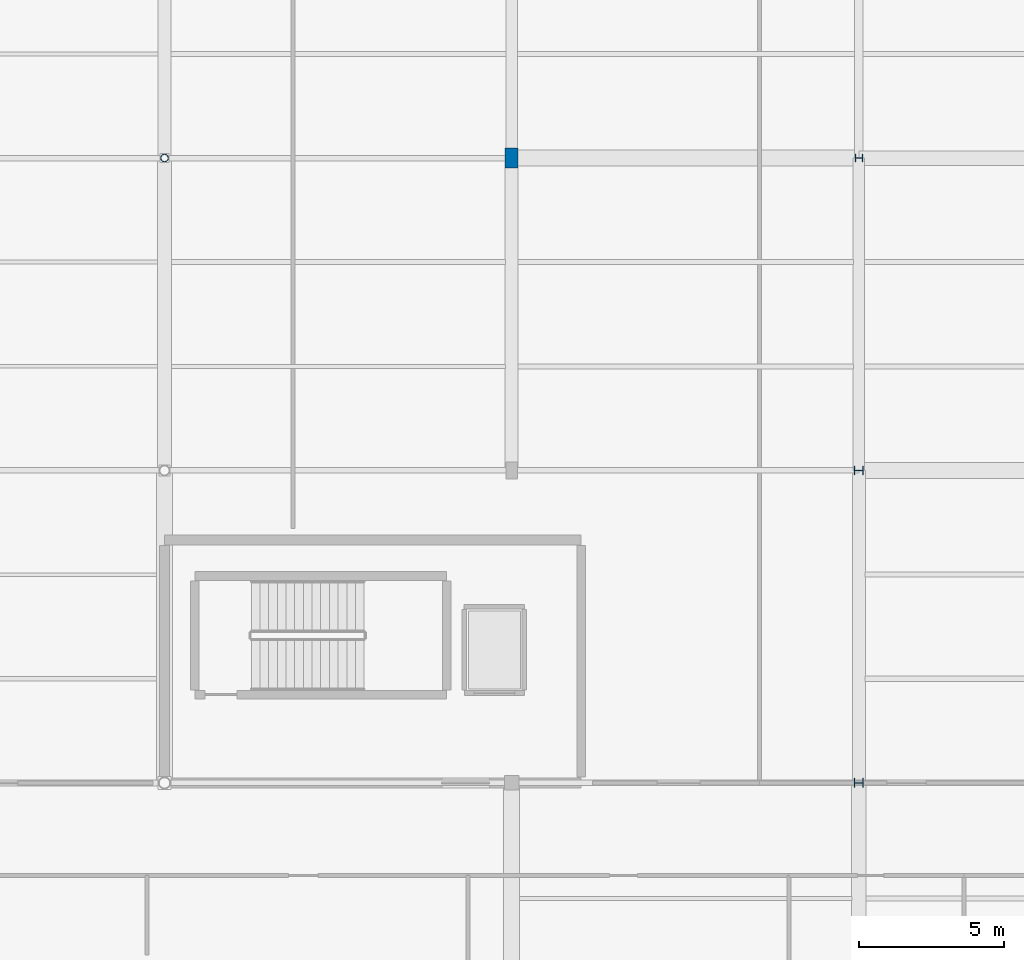
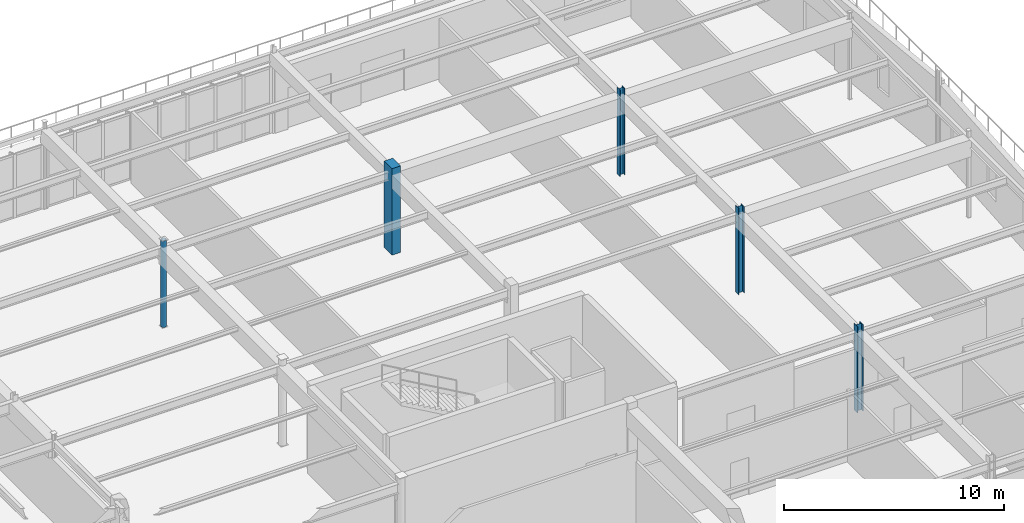
# One storey, part 58 of 199: 5 columns.
"""IFC4 building model written with IfcOpenShell, lengths in metres."""

from ifc_helpers import new_model, si_unit, direction, frame, origin, origin_2d, place, context, subcontext, project, spatial, rectangle, hollow_circle, i_section, extrude, material, material_profile, profile_set, type_object, element, save


model = new_model("IFC4")

# Units and contexts
model_context = context("Model", 3, precision=1e-05, world=origin(), true_north=direction((0.0, 1.0)))
body_context = subcontext(model_context, "Body", "Model", "MODEL_VIEW")
ifc_project = project(units=[si_unit("LENGTHUNIT", "METRE"), si_unit("AREAUNIT", "SQUARE_METRE"), si_unit("VOLUMEUNIT", "CUBIC_METRE"), si_unit("PLANEANGLEUNIT", "RADIAN"), si_unit("MASSUNIT", "GRAM", prefix="KILO")], contexts=[model_context])

# Site, building, storey
site_placement = place(None, origin())
site = spatial("IfcSite", under=ifc_project, at=site_placement, CompositionType="ELEMENT")
building_placement = place(site_placement, origin())
building = spatial("IfcBuilding", under=site, at=building_placement, Name="Tarnwether General Hospital", CompositionType="ELEMENT")
storey_placement = place(building_placement, origin())
storey = spatial("IfcBuildingStorey", under=building, at=storey_placement, Name="L00", CompositionType="ELEMENT", Elevation=0.0)

# Columns
ifc_material_1 = material(Name="Steel Grade 350 (350 MPa)", Category="steel")
ifc_material_profile_1 = material_profile(ifc_material_1, i_section(OverallWidth=0.306884765625, OverallDepth=0.31494140625, WebThickness=0.011962890625, FlangeThickness=0.018798828125, at=origin_2d()), Name="310UC118")
ifc_profile_set_1 = profile_set([ifc_material_profile_1], Name="Steel Grade 350 (350 MPa)")
column_type_1 = type_object("IfcColumnType", Name="COL-07", PredefinedType="COLUMN", material=ifc_profile_set_1)
column_1_placement = place(storey_placement, frame((180.0, 93.60009765625, 0.0), z_axis=(0.0, 0.0, 1.0), x_axis=(0.0, 1.0, 0.0)))
element("IfcColumn", 1, at=column_1_placement, inside=storey, type_object=column_type_1, Name="Column COLG-L00-18000_9360", PredefinedType="COLUMN", context=body_context, shape_type="SweptSolid", body=[
    extrude(i_section(OverallWidth=0.306884765625, OverallDepth=0.31494140625, WebThickness=0.011962890625, FlangeThickness=0.018798828125, at=origin_2d()), origin(), (0.0, 0.0, 1.0), 4.800048828125),
])
ifc_material_2 = material(Name="Steel Grade 350 (350 MPa)", Category="steel")
ifc_material_profile_2 = material_profile(ifc_material_2, i_section(OverallWidth=0.304931640625, OverallDepth=0.30810546875, WebThickness=0.010009765625, FlangeThickness=0.015380859375, at=origin_2d()), Name="310UC96.8")
ifc_profile_set_2 = profile_set([ifc_material_profile_2], Name="Steel Grade 350 (350 MPa)")
column_type_2 = type_object("IfcColumnType", Name="COL-08", PredefinedType="COLUMN", material=ifc_profile_set_2)
column_2_placement = place(storey_placement, frame((180.0, 104.39990234375, 0.0), z_axis=(0.0, 0.0, 1.0), x_axis=(0.0, 1.0, 0.0)))
element("IfcColumn", 2, at=column_2_placement, inside=storey, type_object=column_type_2, Name="Column COLG-L00-18000_10440", PredefinedType="COLUMN", context=body_context, shape_type="SweptSolid", body=[
    extrude(i_section(OverallWidth=0.304931640625, OverallDepth=0.30810546875, WebThickness=0.010009765625, FlangeThickness=0.015380859375, at=origin_2d()), origin(), (0.0, 0.0, 1.0), 4.800048828125),
])
ifc_material_3 = material(Name="Steel Grade 350 (350 MPa)", Category="steel")
ifc_material_profile_3 = material_profile(ifc_material_3, i_section(OverallWidth=0.256103515625, OverallDepth=0.260009765625, WebThickness=0.010498046875, FlangeThickness=0.017333984375, at=origin_2d()), Name="250UC89.5")
ifc_profile_set_3 = profile_set([ifc_material_profile_3], Name="Steel Grade 350 (350 MPa)")
column_type_3 = type_object("IfcColumnType", Name="COL-09", PredefinedType="COLUMN", material=ifc_profile_set_3)
column_3_placement = place(storey_placement, frame((180.0, 115.199951171875, 0.0), z_axis=(0.0, 0.0, 1.0), x_axis=(0.0, 1.0, 0.0)))
element("IfcColumn", 3, at=column_3_placement, inside=storey, type_object=column_type_3, Name="Column COLG-L00-18000_11520", PredefinedType="COLUMN", context=body_context, shape_type="SweptSolid", body=[
    extrude(i_section(OverallWidth=0.256103515625, OverallDepth=0.260009765625, WebThickness=0.010498046875, FlangeThickness=0.017333984375, at=origin_2d()), origin(), (0.0, 0.0, 1.0), 4.800048828125),
])
ifc_material_4 = material(Name="Steel Grade C350L0 (350 MPa)", Category="steel")
ifc_material_profile_4 = material_profile(ifc_material_4, hollow_circle(Radius=0.136474609375, WallThickness=0.0126953125, at=origin_2d()), Name="CHS273.1x12.7")
ifc_profile_set_4 = profile_set([ifc_material_profile_4], Name="Steel Grade C350L0 (350 MPa)")
column_type_4 = type_object("IfcColumnType", Name="COL-12", PredefinedType="COLUMN", material=ifc_profile_set_4)
column_4_placement = place(storey_placement, frame((156.0, 115.199951171875, 0.0), z_axis=(0.0, 0.0, 1.0), x_axis=(0.0, 1.0, 0.0)))
element("IfcColumn", 4, at=column_4_placement, inside=storey, type_object=column_type_4, Name="Column COLG-L00-15600_11520", PredefinedType="COLUMN", context=body_context, shape_type="SweptSolid", body=[
    extrude(hollow_circle(Radius=0.136474609375, WallThickness=0.0126953125, at=origin_2d()), origin(), (0.0, 0.0, 1.0), 4.800048828125),
])
ifc_material_5 = material(Name="Concrete 50 MPa", Category="concrete")
ifc_material_profile_5 = material_profile(ifc_material_5, rectangle(XDim=0.449951171875, YDim=0.699951171875, at=origin_2d()), Name="RC-PIL-450x700")
ifc_profile_set_5 = profile_set([ifc_material_profile_5], Name="Concrete 50 MPa")
column_type_5 = type_object("IfcColumnType", Name="COL-22", PredefinedType="PILASTER", material=ifc_profile_set_5)
column_5_placement = place(storey_placement, frame((168.0, 115.199951171875, 0.0), z_axis=(0.0, 0.0, 1.0), x_axis=(1.0, 0.0, 0.0)))
element("IfcColumn", 5, at=column_5_placement, inside=storey, type_object=column_type_5, Name="Column COLG-L00-16800_11520", PredefinedType="PILASTER", context=body_context, shape_type="SweptSolid", body=[
    extrude(rectangle(XDim=0.449951171875, YDim=0.699951171875, at=origin_2d()), origin(), (0.0, 0.0, 1.0), 4.800048828125),
])

save(model, "model.ifc")
